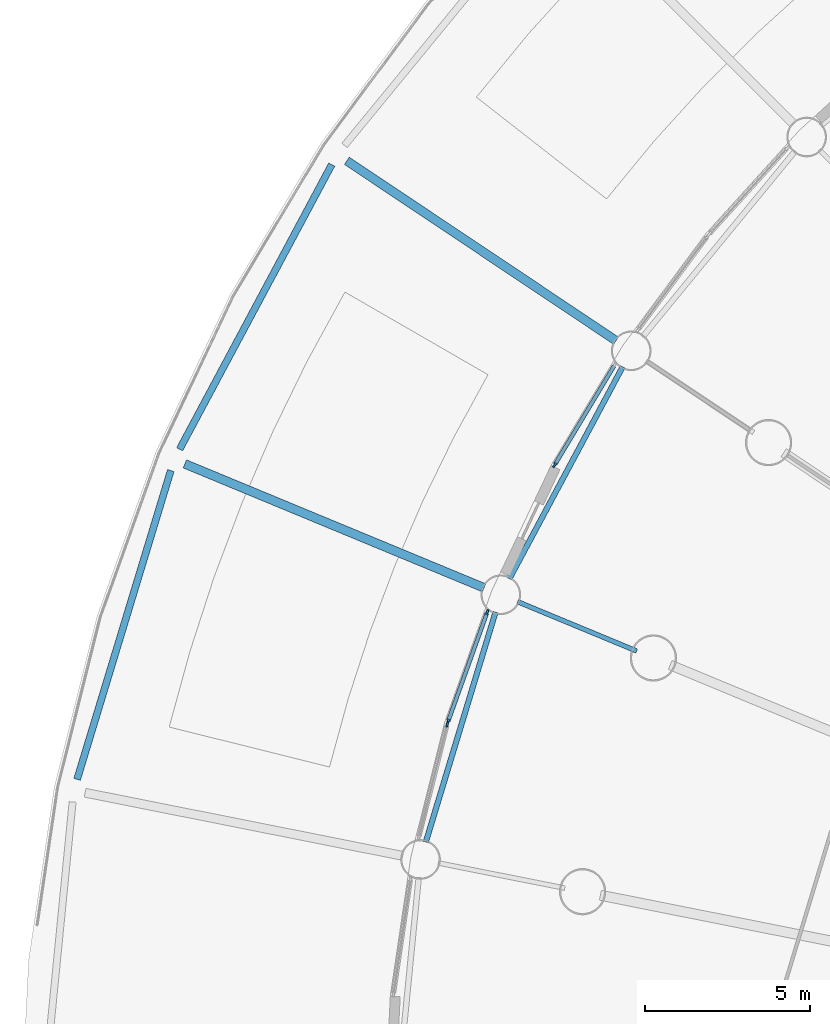
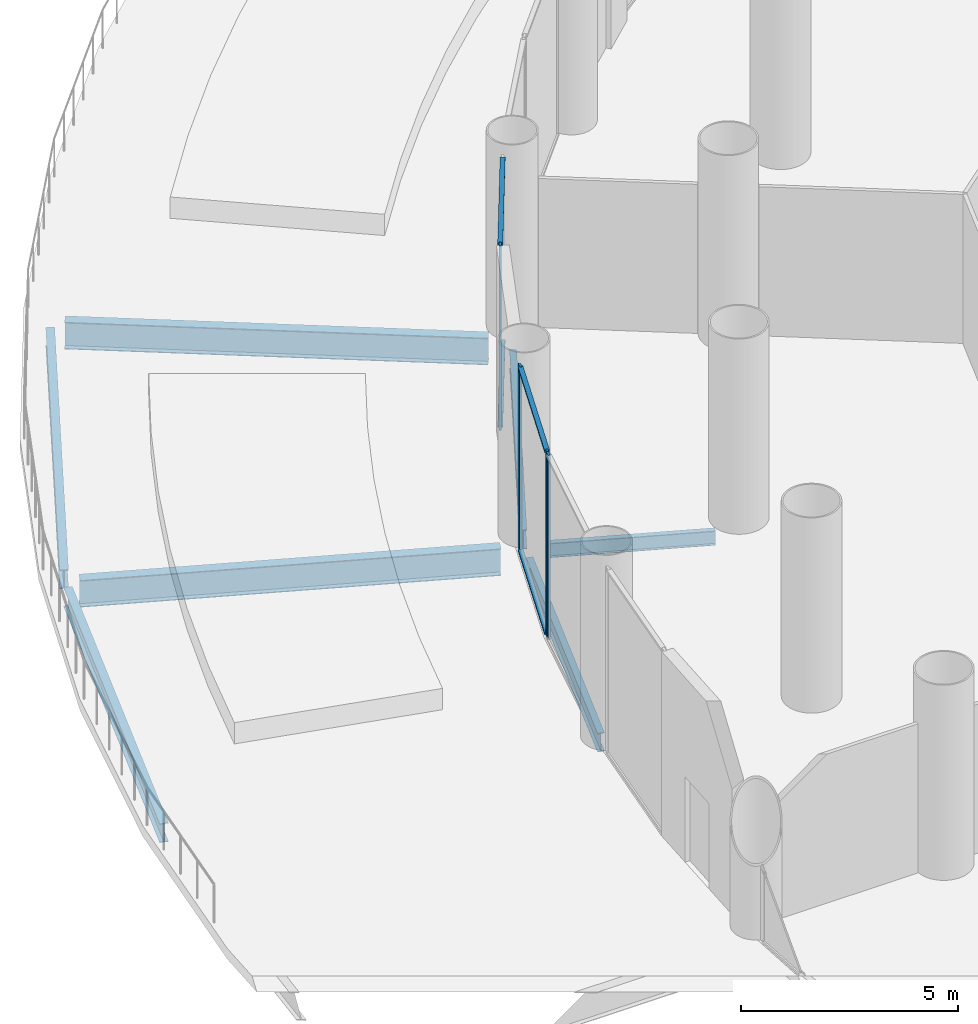
# One storey, part 17 of 36: 8 members, 7 beams, 3 elements without a shape of their own.
"""IFC4 building model written with IfcOpenShell, lengths in metres."""

from ifc_helpers import new_model, si_unit, direction, frame, origin, origin_2d, place, context, subcontext, project, spatial, rectangle, i_section, extrude, material, material_profile, profile_set, type_object, element, aggregate, save


model = new_model("IFC4")

# Units and contexts
model_context = context("Model", 3, precision=1e-05, world=origin(), true_north=direction((0.0, 1.0)))
body_context = subcontext(model_context, "Body", "Model", "MODEL_VIEW")
ifc_project = project(units=[si_unit("LENGTHUNIT", "METRE"), si_unit("AREAUNIT", "SQUARE_METRE"), si_unit("VOLUMEUNIT", "CUBIC_METRE"), si_unit("PLANEANGLEUNIT", "RADIAN"), si_unit("MASSUNIT", "GRAM", prefix="KILO")], contexts=[model_context])

# Site, building, storey
site_placement = place(None, origin())
site = spatial("IfcSite", under=ifc_project, at=site_placement, CompositionType="ELEMENT")
building_placement = place(site_placement, origin())
building = spatial("IfcBuilding", under=site, at=building_placement, Name="Corvane Civic Tower", CompositionType="ELEMENT")
storey_placement = place(building_placement, frame((0.0, 0.0, 6.0)))
storey = spatial("IfcBuildingStorey", under=building, at=storey_placement, Name="L01", CompositionType="ELEMENT", Elevation=6.0)

# Beams
ifc_material_1 = material(Name="Steel ASTM A992 Gr 50", Category="steel")
ifc_material_profile_1 = material_profile(ifc_material_1, i_section(OverallWidth=0.2666015625, OverallDepth=0.7568359375, WebThickness=0.013916015625, FlangeThickness=0.019287109375, at=origin_2d()), Name="W30X108")
ifc_profile_set_1 = profile_set([ifc_material_profile_1], Name="Steel ASTM A992 Gr 50")
beam_type_1 = type_object("IfcBeamType", Name="DECK BEAM W30X108", PredefinedType="BEAM", material=ifc_profile_set_1)
for number, where, z_axis, x_axis, name in (
    (1, (-39.957763671875, 16.551025390625, -0.678466796875), (-0.923880501031, 0.382681094144, 0.0), (-0.382681094144, -0.923880501031, 0.0), "BM-L01-D27"),
    (2, (-35.961181640625, 24.0283203125, -0.678466796875), (-0.831463421309, 0.555579498385, 0.0), (-0.555579498385, -0.831463421309, 0.0), "BM-L01-D28"),
):
    element("IfcBeam", number, at=place(storey_placement, frame(where, z_axis=z_axis, x_axis=x_axis)), inside=storey, type_object=beam_type_1, Name=name, PredefinedType="BEAM", context=body_context, shape_type="SweptSolid", body=[
        extrude(i_section(OverallWidth=0.2666015625, OverallDepth=0.7568359375, WebThickness=0.013916015625, FlangeThickness=0.019287109375, at=origin_2d()), origin(), (0.0, 0.0, 1.0), 9.7998046875),
    ])
ifc_material_2 = material(Name="Steel ASTM A992 Gr 50", Category="steel")
ifc_material_profile_2 = material_profile(ifc_material_2, i_section(OverallWidth=0.165771484375, OverallDepth=0.5283203125, WebThickness=0.009765625, FlangeThickness=0.013671875, at=origin_2d()), Name="W21X50")
ifc_profile_set_2 = profile_set([ifc_material_profile_2], Name="Steel ASTM A992 Gr 50")
beam_type_2 = type_object("IfcBeamType", Name="EDGE BEAM W21X50", PredefinedType="BEAM", material=ifc_profile_set_2)
beam_1_placement = place(storey_placement, frame((-41.719970703125, 8.856689453125, -0.564208984375), z_axis=(0.290291633127, 0.956938225664, 0.0), x_axis=(-0.956938225664, 0.290291633127, 0.0)))
element("IfcBeam", 3, at=beam_1_placement, inside=storey, type_object=beam_type_2, Name="BM-L01-E26", PredefinedType="BEAM", context=body_context, shape_type="SweptSolid", body=[
    extrude(i_section(OverallWidth=0.165771484375, OverallDepth=0.5283203125, WebThickness=0.009765625, FlangeThickness=0.013671875, at=origin_2d()), origin(), (0.0, 0.0, 1.0), 7.2705078125),
])
beam_2_placement = place(storey_placement, frame((-39.1904296875, 16.82568359375, -0.564208984375), z_axis=(0.471412394598, 0.881912894916, 0.0), x_axis=(-0.881912894916, 0.471412394598, 0.0)))
element("IfcBeam", 4, at=beam_2_placement, inside=storey, type_object=beam_type_2, Name="BM-L01-E27", PredefinedType="BEAM", context=body_context, shape_type="SweptSolid", body=[
    extrude(i_section(OverallWidth=0.165771484375, OverallDepth=0.5283203125, WebThickness=0.009765625, FlangeThickness=0.013671875, at=origin_2d()), origin(), (0.0, 0.0, 1.0), 7.270751953125),
])
ifc_material_3 = material(Name="Steel ASTM A992 Gr 50", Category="steel")
ifc_material_profile_3 = material_profile(ifc_material_3, i_section(OverallWidth=0.209228515625, OverallDepth=0.533447265625, WebThickness=0.01025390625, FlangeThickness=0.015625, at=origin_2d()), Name="W21X62")
ifc_profile_set_3 = profile_set([ifc_material_profile_3], Name="Steel ASTM A992 Gr 50")
beam_type_3 = type_object("IfcBeamType", Name="EDGE BEAM W21X62", PredefinedType="BEAM", material=ifc_profile_set_3)
for number, where, z_axis, x_axis, name in (
    (5, (-52.2724609375, 10.752685546875, -0.566650390625), (0.290295255144, 0.956937126901, 0.0), (-0.956937126901, 0.290295255144, 0.0), "BM-L01-H26"),
    (6, (-49.170166015625, 20.743896484375, -0.566650390625), (0.471391012889, 0.881924323833, 0.0), (-0.881924323833, 0.471391012889, 0.0), "BM-L01-H27"),
):
    element("IfcBeam", number, at=place(storey_placement, frame(where, z_axis=z_axis, x_axis=x_axis)), inside=storey, type_object=beam_type_3, Name=name, PredefinedType="BEAM", context=body_context, shape_type="SweptSolid", body=[
        extrude(i_section(OverallWidth=0.209228515625, OverallDepth=0.533447265625, WebThickness=0.01025390625, FlangeThickness=0.015625, at=origin_2d()), origin(), (0.0, 0.0, 1.0), 9.768310546875),
    ])
ifc_material_4 = material(Name="Steel ASTM A992 Gr 50", Category="steel")
ifc_material_profile_4 = material_profile(ifc_material_4, i_section(OverallWidth=0.140380859375, OverallDepth=0.40380859375, WebThickness=0.007080078125, FlangeThickness=0.01123046875, at=origin_2d()), Name="W16X31")
ifc_profile_set_4 = profile_set([ifc_material_profile_4], Name="Steel ASTM A992 Gr 50")
beam_type_4 = type_object("IfcBeamType", Name="FLOOR GIRDER W16X31", PredefinedType="BEAM", material=ifc_profile_set_4)
beam_3_placement = place(storey_placement, frame((-35.33837890625, 14.6376953125, -0.501953125), z_axis=(-0.923878730261, 0.382685369162, 0.0), x_axis=(-0.382685369162, -0.923878730261, 0.0)))
element("IfcBeam", 7, at=beam_3_placement, inside=storey, type_object=beam_type_4, Name="BM-L01-G27b", PredefinedType="BEAM", context=body_context, shape_type="SweptSolid", body=[
    extrude(i_section(OverallWidth=0.140380859375, OverallDepth=0.40380859375, WebThickness=0.007080078125, FlangeThickness=0.01123046875, at=origin_2d()), origin(), (0.0, 0.0, 1.0), 3.89990234375),
])

# Curtain wall, member
ifc_material_5 = material(Name="Aluminium and glass", Category="aluminium")
curtain_wall_type = type_object("IfcCurtainWallType", Name="PODIUM-CW-P-RUN", PredefinedType="NOTDEFINED", material=ifc_material_5)
curtain_wall_1_placement = place(storey_placement, origin())
curtain_wall_1 = element("IfcCurtainWall", 8, at=curtain_wall_1_placement, inside=storey, type_object=curtain_wall_type, Name="PODI run L01-drum-26A", PredefinedType="NOTDEFINED")
ifc_material_6 = material(Name="Anodised aluminium bronze", Category="aluminium")
ifc_material_profile_5 = material_profile(ifc_material_6, rectangle(XDim=0.06005859375, YDim=0.159912109375, at=origin_2d()), Name="AL 60x160")
ifc_profile_set_5 = profile_set([ifc_material_profile_5], Name="Anodised aluminium bronze")
member_type_1 = type_object("IfcMemberType", Name="PODIUM-CWP-MULLION-60x160", PredefinedType="MULLION", material=ifc_profile_set_5)
member_1_placement = place(storey_placement, frame((-41.0732421875, 12.411865234375, 0.0), z_axis=(0.0, 0.0, 1.0), x_axis=(-0.970024070659, 0.243008852393, 0.0)))
member_1 = element("IfcMember", 9, at=member_1_placement, type_object=member_type_1, Name="CW-P mullion 2", PredefinedType="MULLION", context=body_context, shape_type="SweptSolid", body=[
    extrude(rectangle(XDim=0.06005859375, YDim=0.159912109375, at=origin_2d()), origin(), (0.0, 0.0, 1.0), 5.199951171875),
])
aggregate(curtain_wall_1, [member_1])

# Curtain wall, members
curtain_wall_2_placement = place(storey_placement, origin())
curtain_wall_2 = element("IfcCurtainWall", 10, at=curtain_wall_2_placement, inside=storey, type_object=curtain_wall_type, Name="PODI run L01-drum-26B", PredefinedType="NOTDEFINED")
member_2_placement = place(storey_placement, frame((-41.046875, 12.4990234375, 0.0), z_axis=(0.0, 0.0, 1.0), x_axis=(-0.941533802561, 0.336918534123, 0.0)))
member_2 = element("IfcMember", 11, at=member_2_placement, type_object=member_type_1, Name="CW-P mullion 1", PredefinedType="MULLION", context=body_context, shape_type="SweptSolid", body=[
    extrude(rectangle(XDim=0.06005859375, YDim=0.159912109375, at=origin_2d()), origin(), (0.0, 0.0, 1.0), 5.199951171875),
])
member_3_placement = place(storey_placement, frame((-39.861083984375, 15.81298828125, 0.0), z_axis=(0.0, 0.0, 1.0), x_axis=(-0.941533802561, 0.336918534123, 0.0)))
member_3 = element("IfcMember", 12, at=member_3_placement, type_object=member_type_1, Name="CW-P mullion 2", PredefinedType="MULLION", context=body_context, shape_type="SweptSolid", body=[
    extrude(rectangle(XDim=0.06005859375, YDim=0.159912109375, at=origin_2d()), origin(), (0.0, 0.0, 1.0), 5.199951171875),
])

# Curtain wall, member
curtain_wall_3_placement = place(storey_placement, origin())
curtain_wall_3 = element("IfcCurtainWall", 13, at=curtain_wall_3_placement, inside=storey, type_object=curtain_wall_type, Name="PODI run L01-drum-27B", PredefinedType="NOTDEFINED")
member_4_placement = place(storey_placement, frame((-37.819580078125, 20.2666015625, 0.0), z_axis=(0.0, 0.0, 1.0), x_axis=(-0.857719609779, 0.514117759857, 0.0)))
member_4 = element("IfcMember", 14, at=member_4_placement, type_object=member_type_1, Name="CW-P mullion 1", PredefinedType="MULLION", context=body_context, shape_type="SweptSolid", body=[
    extrude(rectangle(XDim=0.06005859375, YDim=0.159912109375, at=origin_2d()), origin(), (0.0, 0.0, 1.0), 5.199951171875),
])

# Member
ifc_material_7 = material(Name="Anodised aluminium bronze", Category="aluminium")
ifc_material_profile_6 = material_profile(ifc_material_7, rectangle(XDim=0.1201171875, YDim=0.06005859375, at=origin_2d()), Name="AL 120x60")
ifc_profile_set_6 = profile_set([ifc_material_profile_6], Name="Anodised aluminium bronze")
member_type_2 = type_object("IfcMemberType", Name="PODIUM-CWP-TRANSOM-60x120", PredefinedType="USERDEFINED", material=ifc_profile_set_6)
member_5_placement = place(storey_placement, frame((-41.036865234375, 12.527099609375, 0.030029296875), z_axis=(0.336939787896, 0.941526196838, 0.0), x_axis=(-0.941526196838, 0.336939787896, 0.0)))
member_5 = element("IfcMember", 15, at=member_5_placement, type_object=member_type_2, Name="CW-P transom 1.1", ObjectType="TRANSOM", PredefinedType="USERDEFINED", context=body_context, shape_type="SweptSolid", body=[
    extrude(rectangle(XDim=0.1201171875, YDim=0.06005859375, at=origin_2d()), origin(), (0.0, 0.0, 1.0), 3.4599609375),
])

member_6_placement = place(storey_placement, frame((-41.036865234375, 12.527099609375, 5.169921875), z_axis=(0.336939787896, 0.941526196838, 0.0), x_axis=(-0.941526196838, 0.336939787896, 0.0)))
member_6 = element("IfcMember", 16, at=member_6_placement, type_object=member_type_2, Name="CW-P transom 1.2", ObjectType="TRANSOM", PredefinedType="USERDEFINED", context=body_context, shape_type="SweptSolid", body=[
    extrude(rectangle(XDim=0.1201171875, YDim=0.06005859375, at=origin_2d()), origin(), (0.0, 0.0, 1.0), 3.4599609375),
])

aggregate(curtain_wall_2, [member_2, member_3, member_5, member_6])

member_7_placement = place(storey_placement, frame((-37.80419921875, 20.29248046875, 0.030029296875), z_axis=(0.514111713099, 0.857723234181, 0.0), x_axis=(-0.857723234181, 0.514111713099, 0.0)))
member_7 = element("IfcMember", 17, at=member_7_placement, type_object=member_type_2, Name="CW-P transom 1.1", ObjectType="TRANSOM", PredefinedType="USERDEFINED", context=body_context, shape_type="SweptSolid", body=[
    extrude(rectangle(XDim=0.1201171875, YDim=0.06005859375, at=origin_2d()), origin(), (0.0, 0.0, 1.0), 3.45947265625),
])

member_8_placement = place(storey_placement, frame((-37.80419921875, 20.29248046875, 5.169921875), z_axis=(0.514111713099, 0.857723234181, 0.0), x_axis=(-0.857723234181, 0.514111713099, 0.0)))
member_8 = element("IfcMember", 18, at=member_8_placement, type_object=member_type_2, Name="CW-P transom 1.2", ObjectType="TRANSOM", PredefinedType="USERDEFINED", context=body_context, shape_type="SweptSolid", body=[
    extrude(rectangle(XDim=0.1201171875, YDim=0.06005859375, at=origin_2d()), origin(), (0.0, 0.0, 1.0), 3.45947265625),
])

aggregate(curtain_wall_3, [member_4, member_7, member_8])

save(model, "model.ifc")
